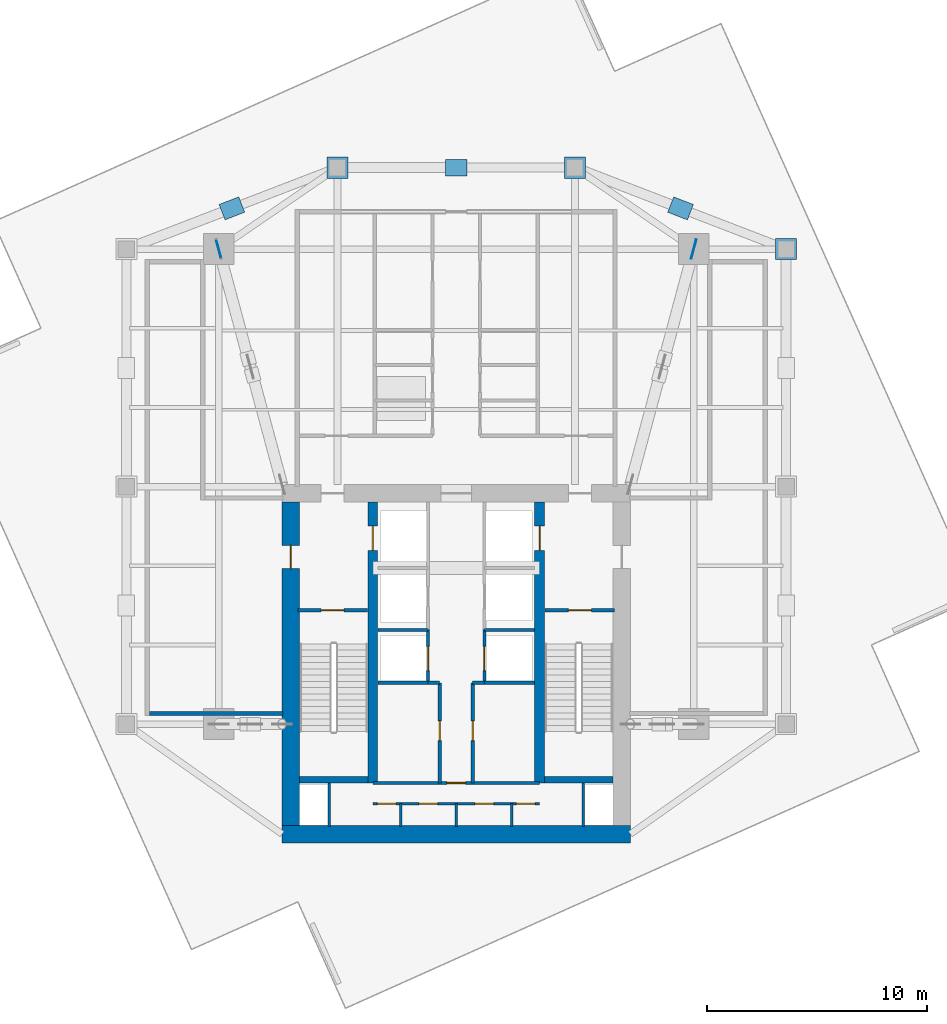
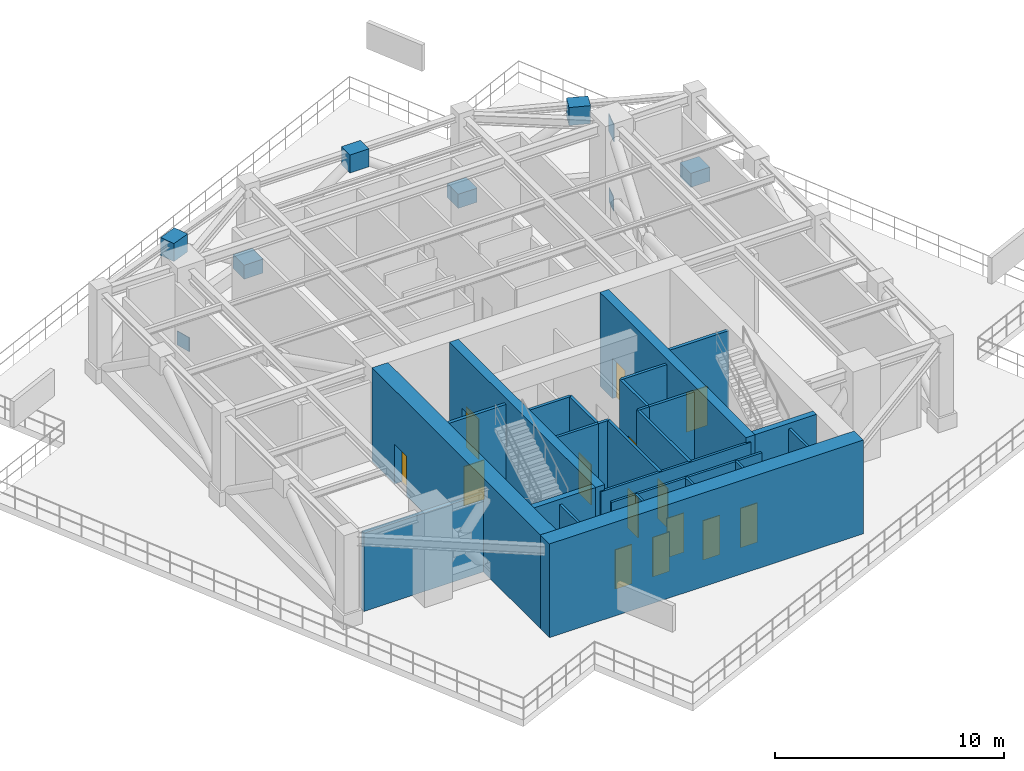
# One storey, part 3 of 8: 26 walls, 14 doors, 9 plates, 14 openings.
"""IFC4 building model written with IfcOpenShell, lengths in metres."""

from ifc_helpers import new_model, si_unit, direction, frame, frame_2d, origin, origin_2d, place, context, subcontext, project, spatial, rectangle, extrude, source, transform, mapped, material, layer, layer_set, type_object, type_shapes, element, fill, save


model = new_model("IFC4")

# Units and contexts
model_context = context("Model", 3, precision=1e-05, world=origin(), true_north=direction((0.0, 1.0)))
body_context = subcontext(model_context, "Body", "Model", "MODEL_VIEW")
ifc_project = project(units=[si_unit("LENGTHUNIT", "METRE"), si_unit("AREAUNIT", "SQUARE_METRE"), si_unit("VOLUMEUNIT", "CUBIC_METRE"), si_unit("PLANEANGLEUNIT", "RADIAN"), si_unit("MASSUNIT", "GRAM", prefix="KILO")], contexts=[model_context])

# Site, building, storey
site_placement = place(None, origin())
site = spatial("IfcSite", under=ifc_project, at=site_placement, CompositionType="ELEMENT")
building_placement = place(site_placement, origin())
building = spatial("IfcBuilding", under=site, at=building_placement, Name="Krantzveldt Concourse Tower", CompositionType="ELEMENT")
storey_placement = place(building_placement, frame((0.0, 0.0, 318.75)))
storey = spatial("IfcBuildingStorey", under=building, at=storey_placement, Name="L78", CompositionType="ELEMENT", Elevation=318.75)

# Plates
ifc_material_1 = material(Name="Steel S355J2", Category="steel")
ifc_layer_1 = layer(ifc_material_1, 0.0400390625, Name="Steel S355J2", Category="steel")
ifc_layer_set_1 = layer_set([ifc_layer_1], Name="Steel S355J2 (PL-GUSSET-40)")
plate_type_1 = type_object("IfcPlateType", Name="PL-GUSSET-40", PredefinedType="USERDEFINED", material=ifc_layer_set_1)
shared_shape_1 = source(origin(), body_context, "Body", "SweptSolid", [
    extrude(rectangle(XDim=0.89990234375, YDim=0.0400390625, at=origin_2d()), origin(), (0.0, 0.0, 1.0), 0.89990234375),
])
type_shapes(plate_type_1, [shared_shape_1])
plate_placement = place(storey_placement, frame((46.800048828125, 37.5, 3.820068359375), z_axis=(0.0, 0.0, 1.0), x_axis=(0.259914686406, 0.965631583882, 0.0)))
element("IfcPlate", 1, at=plate_placement, inside=storey, type_object=plate_type_1, Name="OT-NE-L78-GP3", ObjectType="GUSSET PLATE", PredefinedType="USERDEFINED", context=body_context, shape_type="MappedRepresentation", body=[
    mapped(shared_shape_1, transform((0.0, 0.0, 0.0), x_axis=(1.0, 0.0, 0.0), y_axis=(0.0, 1.0, 0.0), z_axis=(0.0, 0.0, 1.0), scale=1.0)),
])
ifc_layer_2 = layer(ifc_material_1, 0.034912109375, Name="Steel S355J2", Category="steel")
ifc_layer_set_2 = layer_set([ifc_layer_2], Name="Steel S355J2 (PL-ENDCAP-35)")
plate_type_2 = type_object("IfcPlateType", Name="PL-ENDCAP-35", PredefinedType="SHEET", material=ifc_layer_set_2)
shared_shape_2 = source(origin(), body_context, "Body", "SweptSolid", [
    extrude(rectangle(XDim=0.75, YDim=0.034912109375, at=origin_2d()), origin(), (0.0, 0.0, 1.0), 0.75),
])
type_shapes(plate_type_2, [shared_shape_2])
for number, where, z_axis, x_axis, name in (
    (2, (25.199951171875, 37.5, 0.074951171875), (0.0, 0.0, 1.0), (-0.259914686406, 0.965631583882, 0.0), "OT-NW-L78-EC"),
    (3, (46.800048828125, 37.5, 0.074951171875), (0.0, 0.0, 1.0), (0.259914686406, 0.965631583882, 0.0), "OT-NE-L78-EC"),
):
    element("IfcPlate", number, at=place(storey_placement, frame(where, z_axis=z_axis, x_axis=x_axis)), inside=storey, type_object=plate_type_2, Name=name, PredefinedType="SHEET", context=body_context, shape_type="MappedRepresentation", body=[
        mapped(shared_shape_2, transform((0.0, 0.0, 0.0), x_axis=(1.0, 0.0, 0.0), y_axis=(0.0, 1.0, 0.0), z_axis=(0.0, 0.0, 1.0), scale=1.0)),
    ])
ifc_layer_3 = layer(ifc_material_1, 0.0419921875, Name="Steel S355J2", Category="steel")
ifc_layer_set_3 = layer_set([ifc_layer_3], Name="Steel S355J2 (PL-GUSSET-EXT40)")
plate_type_3 = type_object("IfcPlateType", Name="PL-GUSSET-EXT40", PredefinedType="USERDEFINED", material=ifc_layer_set_3)
shared_shape_3 = source(origin(), body_context, "Body", "SweptSolid", [
    extrude(rectangle(XDim=0.9599609375, YDim=0.9599609375, at=origin_2d()), origin(), (0.0, 0.0, 1.0), 0.75),
])
for number, where, z_axis, x_axis, name in (
    (4, (30.60009765625, 41.199951171875, 0.074951171875), (0.0, 0.0, 1.0), (1.0, 0.0, 0.0), "BT-L78-GPB-04"),
    (5, (41.39990234375, 41.199951171875, 0.074951171875), (0.0, 0.0, 1.0), (1.0, 0.0, 0.0), "BT-L78-GPB-05"),
    (6, (51.0, 37.5, 0.074951171875), (0.0, 0.0, 1.0), (1.0, 0.0, 0.0), "BT-L78-GPB-06"),
):
    element("IfcPlate", number, at=place(storey_placement, frame(where, z_axis=z_axis, x_axis=x_axis)), inside=storey, type_object=plate_type_3, Name=name, ObjectType="GUSSET PLATE", PredefinedType="USERDEFINED", context=body_context, shape_type="MappedRepresentation", body=[
        mapped(shared_shape_3, transform((0.0, 0.0, 0.0), x_axis=(1.0, 0.0, 0.0), y_axis=(0.0, 1.0, 0.0), z_axis=(0.0, 0.0, 1.0), scale=1.0)),
    ])
shared_shape_4 = source(origin(), body_context, "Body", "SweptSolid", [
    extrude(rectangle(XDim=0.9599609375, YDim=0.75, at=origin_2d()), origin(), (0.0, 0.0, 1.0), 0.9599609375),
])
type_shapes(plate_type_3, [shared_shape_3, shared_shape_4])
for number, where, z_axis, x_axis, name in (
    (7, (25.800048828125, 39.35009765625, 3.7900390625), (0.0, 0.0, 1.0), (0.933097971633, 0.359622267573, 0.0), "BT-L78-GP-03"),
    (8, (36.0, 41.199951171875, 3.7900390625), (0.0, 0.0, 1.0), (1.0, 0.0, 0.0), "BT-L78-GP-04"),
    (9, (46.199951171875, 39.35009765625, 3.7900390625), (0.0, 0.0, 1.0), (-0.933097971633, 0.359622267573, 0.0), "BT-L78-GP-05"),
):
    element("IfcPlate", number, at=place(storey_placement, frame(where, z_axis=z_axis, x_axis=x_axis)), inside=storey, type_object=plate_type_3, Name=name, ObjectType="GUSSET PLATE", PredefinedType="USERDEFINED", context=body_context, shape_type="MappedRepresentation", body=[
        mapped(shared_shape_4, transform((0.0, 0.0, 0.0), x_axis=(1.0, 0.0, 0.0), y_axis=(0.0, 1.0, 0.0), z_axis=(0.0, 0.0, 1.0), scale=1.0)),
    ])

# Wall
ifc_material_2 = material(Name="Concrete C40/50", Category="concrete")
ifc_layer_4 = layer(ifc_material_2, 0.199951171875, Name="Concrete C40/50", Category="concrete")
ifc_layer_set_4 = layer_set([ifc_layer_4], Name="Concrete C40/50 (WL-EXT-POD200)")
wall_type_1 = type_object("IfcWallType", Name="WL-EXT-POD200", PredefinedType="SOLIDWALL", material=ifc_layer_set_4)
wall_1_placement = place(storey_placement, frame((22.050048828125, 16.3798828125, 0.0), z_axis=(0.0, 0.0, 1.0), x_axis=(1.0, 0.0, 0.0)))
element("IfcWall", 10, at=wall_1_placement, inside=storey, type_object=wall_type_1, Name="WP-L78-RWS", PredefinedType="SOLIDWALL", context=body_context, shape_type="SweptSolid", body=[
    extrude(rectangle(XDim=6.070068359375, YDim=0.199951171875, at=frame_2d((3.03515625, 0.0))), origin(), (0.0, 0.0, 1.0), 4.179931640625),
])

# Wall, opening, door
ifc_material_3 = material(Name="Fire-rated gypsum plasterboard on steel stud", Category="steel")
ifc_layer_5 = layer(ifc_material_3, 0.1201171875, Name="Fire-rated gypsum plasterboard on steel stud", Category="steel")
ifc_layer_set_5 = layer_set([ifc_layer_5], Name="Fire-rated gypsum plasterboard on steel stud (WL-PART-120)")
wall_type_2 = type_object("IfcWallType", Name="WL-PART-120", PredefinedType="PARTITIONING", material=ifc_layer_set_5)
wall_2_placement = place(storey_placement, frame((32.2099609375, 13.219970703125, 0.0), z_axis=(0.0, 0.0, 1.0), x_axis=(1.0, 0.0, 0.0)))
wall_2 = element("IfcWall", 11, at=wall_2_placement, inside=storey, type_object=wall_type_2, Name="WP-L78-CS2H", PredefinedType="PARTITIONING", context=body_context, shape_type="SweptSolid", body=[
    extrude(rectangle(XDim=7.580078125, YDim=0.1201171875, at=frame_2d((3.7900390625, 0.0))), origin(), (0.0, 0.0, 1.0), 4.719970703125),
])
opening_1_placement = place(wall_2_placement, frame((3.364990234375, 0.0, 0.0)))
opening_1 = element("IfcOpeningElement", 12, at=opening_1_placement, cuts=wall_2, Name="Opening D-IN085", PredefinedType="OPENING", context=body_context, shape_type="SweptSolid", body=[
    extrude(rectangle(XDim=0.85009765625, YDim=2.10009765625, at=frame_2d((0.425048828125, 1.050048828125))), frame((0.0, 0.070068359375, 0.0), z_axis=(0.0, -1.0, 0.0), x_axis=(1.0, 0.0, 0.0)), (0.0, 0.0, 1.0), 0.14013671875),
])
ifc_material_4 = material(Name="Hardwood timber", Category="wood")
door_type_1 = type_object("IfcDoorType", Name="DR-INT-850", OperationType="SINGLE_SWING_LEFT", PredefinedType="DOOR", material=ifc_material_4)
door_1_placement = place(opening_1_placement, origin())
door_1 = element("IfcDoor", 13, at=door_1_placement, inside=storey, type_object=door_type_1, Name="DR-L78-LLBS", OperationType="SINGLE_SWING_RIGHT", OverallHeight=2.10009765625, OverallWidth=0.85009765625, PredefinedType="DOOR", context=body_context, shape_type="SweptSolid", body=[
    extrude(rectangle(XDim=0.85009765625, YDim=2.10009765625, at=frame_2d((0.425048828125, 1.050048828125))), frame((0.0, 0.02490234375, 0.0), z_axis=(0.0, -1.0, 0.0), x_axis=(1.0, 0.0, 0.0)), (0.0, 0.0, 1.0), 0.050048828125),
])
fill(opening_1, door_1)

# Wall, openings, doors
wall_3_placement = place(storey_placement, frame((32.2099609375, 12.280029296875, 0.0), z_axis=(0.0, 0.0, 1.0), x_axis=(1.0, 0.0, 0.0)))
wall_3 = element("IfcWall", 14, at=wall_3_placement, inside=storey, type_object=wall_type_2, Name="WP-L78-CSD-HM", PredefinedType="PARTITIONING", context=body_context, shape_type="SweptSolid", body=[
    extrude(rectangle(XDim=7.580078125, YDim=0.1201171875, at=frame_2d((3.7900390625, 0.0))), origin(), (0.0, 0.0, 1.0), 4.719970703125),
])
opening_2_placement = place(wall_3_placement, frame((0.205078125, 0.0, 0.0)))
opening_2 = element("IfcOpeningElement", 15, at=opening_2_placement, cuts=wall_3, Name="Opening D-IN085", PredefinedType="OPENING", context=body_context, shape_type="SweptSolid", body=[
    extrude(rectangle(XDim=0.85009765625, YDim=2.10009765625, at=frame_2d((0.425048828125, 1.050048828125))), frame((0.0, 0.070068359375, 0.0), z_axis=(0.0, -1.0, 0.0), x_axis=(1.0, 0.0, 0.0)), (0.0, 0.0, 1.0), 0.14013671875),
])
opening_3_placement = place(wall_3_placement, frame((2.094970703125, 0.0, 0.0)))
opening_3 = element("IfcOpeningElement", 16, at=opening_3_placement, cuts=wall_3, Name="Opening D-IN085", PredefinedType="OPENING", context=body_context, shape_type="SweptSolid", body=[
    extrude(rectangle(XDim=0.85009765625, YDim=2.10009765625, at=frame_2d((0.425048828125, 1.050048828125))), frame((0.0, 0.070068359375, 0.0), z_axis=(0.0, -1.0, 0.0), x_axis=(1.0, 0.0, 0.0)), (0.0, 0.0, 1.0), 0.14013671875),
])
opening_4_placement = place(wall_3_placement, frame((4.635009765625, 0.0, 0.0)))
opening_4 = element("IfcOpeningElement", 17, at=opening_4_placement, cuts=wall_3, Name="Opening D-IN085", PredefinedType="OPENING", context=body_context, shape_type="SweptSolid", body=[
    extrude(rectangle(XDim=0.85009765625, YDim=2.10009765625, at=frame_2d((0.425048828125, 1.050048828125))), frame((0.0, 0.070068359375, 0.0), z_axis=(0.0, -1.0, 0.0), x_axis=(1.0, 0.0, 0.0)), (0.0, 0.0, 1.0), 0.14013671875),
])
opening_5_placement = place(wall_3_placement, frame((6.52490234375, 0.0, 0.0)))
opening_5 = element("IfcOpeningElement", 18, at=opening_5_placement, cuts=wall_3, Name="Opening D-IN085", PredefinedType="OPENING", context=body_context, shape_type="SweptSolid", body=[
    extrude(rectangle(XDim=0.85009765625, YDim=2.10009765625, at=frame_2d((0.425048828125, 1.050048828125))), frame((0.0, 0.070068359375, 0.0), z_axis=(0.0, -1.0, 0.0), x_axis=(1.0, 0.0, 0.0)), (0.0, 0.0, 1.0), 0.14013671875),
])
door_2_placement = place(opening_2_placement, origin())
door_2 = element("IfcDoor", 19, at=door_2_placement, inside=storey, type_object=door_type_1, Name="DR-L78-CSD1", OperationType="SINGLE_SWING_RIGHT", OverallHeight=2.10009765625, OverallWidth=0.85009765625, PredefinedType="DOOR", context=body_context, shape_type="SweptSolid", body=[
    extrude(rectangle(XDim=0.85009765625, YDim=2.10009765625, at=frame_2d((0.425048828125, 1.050048828125))), frame((0.0, 0.02490234375, 0.0), z_axis=(0.0, -1.0, 0.0), x_axis=(1.0, 0.0, 0.0)), (0.0, 0.0, 1.0), 0.050048828125),
])
fill(opening_2, door_2)
door_3_placement = place(opening_3_placement, origin())
door_3 = element("IfcDoor", 20, at=door_3_placement, inside=storey, type_object=door_type_1, Name="DR-L78-CSD2", OperationType="SINGLE_SWING_RIGHT", OverallHeight=2.10009765625, OverallWidth=0.85009765625, PredefinedType="DOOR", context=body_context, shape_type="SweptSolid", body=[
    extrude(rectangle(XDim=0.85009765625, YDim=2.10009765625, at=frame_2d((0.425048828125, 1.050048828125))), frame((0.0, 0.02490234375, 0.0), z_axis=(0.0, -1.0, 0.0), x_axis=(1.0, 0.0, 0.0)), (0.0, 0.0, 1.0), 0.050048828125),
])
fill(opening_3, door_3)
door_4_placement = place(opening_4_placement, origin())
door_4 = element("IfcDoor", 21, at=door_4_placement, inside=storey, type_object=door_type_1, Name="DR-L78-CSD3", OperationType="SINGLE_SWING_RIGHT", OverallHeight=2.10009765625, OverallWidth=0.85009765625, PredefinedType="DOOR", context=body_context, shape_type="SweptSolid", body=[
    extrude(rectangle(XDim=0.85009765625, YDim=2.10009765625, at=frame_2d((0.425048828125, 1.050048828125))), frame((0.0, 0.02490234375, 0.0), z_axis=(0.0, -1.0, 0.0), x_axis=(1.0, 0.0, 0.0)), (0.0, 0.0, 1.0), 0.050048828125),
])
fill(opening_4, door_4)
door_5_placement = place(opening_5_placement, origin())
door_5 = element("IfcDoor", 22, at=door_5_placement, inside=storey, type_object=door_type_1, Name="DR-L78-CSD4", OperationType="SINGLE_SWING_RIGHT", OverallHeight=2.10009765625, OverallWidth=0.85009765625, PredefinedType="DOOR", context=body_context, shape_type="SweptSolid", body=[
    extrude(rectangle(XDim=0.85009765625, YDim=2.10009765625, at=frame_2d((0.425048828125, 1.050048828125))), frame((0.0, 0.02490234375, 0.0), z_axis=(0.0, -1.0, 0.0), x_axis=(1.0, 0.0, 0.0)), (0.0, 0.0, 1.0), 0.050048828125),
])
fill(opening_5, door_5)

# Walls
for number, where, z_axis, x_axis, name in (
    (23, (33.469970703125, 11.25, 0.0), (0.0, 0.0, 1.0), (0.0, 1.0, 0.0), "WP-L78-CSD-V1"),
    (24, (36.0, 11.25, 0.0), (0.0, 0.0, 1.0), (0.0, 1.0, 0.0), "WP-L78-CSD-V2"),
    (25, (38.530029296875, 11.25, 0.0), (0.0, 0.0, 1.0), (0.0, 1.0, 0.0), "WP-L78-CSD-V3"),
):
    element("IfcWall", number, at=place(storey_placement, frame(where, z_axis=z_axis, x_axis=x_axis)), inside=storey, type_object=wall_type_2, Name=name, PredefinedType="PARTITIONING", context=body_context, shape_type="SweptSolid", body=[
        extrude(rectangle(XDim=1.030029296875, YDim=0.1201171875, at=frame_2d((0.51513671875, 0.0))), origin(), (0.0, 0.0, 1.0), 4.719970703125),
    ])

# Wall, opening, door
ifc_layer_6 = layer(ifc_material_3, 0.139892578125, Name="Fire-rated gypsum plasterboard on steel stud", Category="steel")
ifc_layer_set_6 = layer_set([ifc_layer_6], Name="Fire-rated gypsum plasterboard on steel stud (WL-PART-FR140)")
wall_type_3 = type_object("IfcWallType", Name="WL-PART-FR140", PredefinedType="PARTITIONING", material=ifc_layer_set_6)
wall_4_placement = place(storey_placement, frame((34.719970703125, 17.780029296875, 0.0), z_axis=(0.0, 0.0, 1.0), x_axis=(0.0, 1.0, 0.0)))
wall_4 = element("IfcWall", 26, at=wall_4_placement, inside=storey, type_object=wall_type_3, Name="WP-L78-SHNW2", PredefinedType="PARTITIONING", context=body_context, shape_type="SweptSolid", body=[
    extrude(rectangle(XDim=2.419921875, YDim=0.139892578125, at=frame_2d((1.2099609375, 0.0))), origin(), (0.0, 0.0, 1.0), 4.719970703125),
])
opening_6_placement = place(wall_4_placement, frame((0.550048828125, 0.0, 0.0)))
opening_6 = element("IfcOpeningElement", 27, at=opening_6_placement, cuts=wall_4, Name="Opening LD", PredefinedType="OPENING", context=body_context, shape_type="SweptSolid", body=[
    extrude(rectangle(XDim=1.10009765625, YDim=2.14990234375, at=frame_2d((0.550048828125, 1.074951171875))), frame((0.0, 0.080078125, 0.0), z_axis=(0.0, -1.0, 0.0), x_axis=(1.0, 0.0, 0.0)), (0.0, 0.0, 1.0), 0.159912109375),
])
ifc_material_5 = material(Name="Stainless steel 316L", Category="steel")
door_type_2 = type_object("IfcDoorType", Name="DR-SLIDE-LD1100", OperationType="DOUBLE_DOOR_SLIDING", PredefinedType="DOOR", material=ifc_material_5)
door_6_placement = place(opening_6_placement, origin())
door_6 = element("IfcDoor", 28, at=door_6_placement, inside=storey, type_object=door_type_2, Name="LD-L78-PH1", OperationType="DOUBLE_DOOR_SLIDING", OverallHeight=2.14990234375, OverallWidth=1.10009765625, PredefinedType="DOOR", context=body_context, shape_type="SweptSolid", body=[
    extrude(rectangle(XDim=1.10009765625, YDim=2.14990234375, at=frame_2d((0.550048828125, 1.074951171875))), frame((0.0, 0.02490234375, 0.0), z_axis=(0.0, -1.0, 0.0), x_axis=(1.0, 0.0, 0.0)), (0.0, 0.0, 1.0), 0.050048828125),
])
fill(opening_6, door_6)

wall_5_placement = place(storey_placement, frame((37.280029296875, 17.780029296875, 0.0), z_axis=(0.0, 0.0, 1.0), x_axis=(0.0, 1.0, 0.0)))
wall_5 = element("IfcWall", 29, at=wall_5_placement, inside=storey, type_object=wall_type_3, Name="WP-L78-SHNE2", PredefinedType="PARTITIONING", context=body_context, shape_type="SweptSolid", body=[
    extrude(rectangle(XDim=2.419921875, YDim=0.139892578125, at=frame_2d((1.2099609375, 0.0))), origin(), (0.0, 0.0, 1.0), 4.719970703125),
])
opening_7_placement = place(wall_5_placement, frame((0.550048828125, 0.0, 0.0)))
opening_7 = element("IfcOpeningElement", 30, at=opening_7_placement, cuts=wall_5, Name="Opening LD", PredefinedType="OPENING", context=body_context, shape_type="SweptSolid", body=[
    extrude(rectangle(XDim=1.10009765625, YDim=2.14990234375, at=frame_2d((0.550048828125, 1.074951171875))), frame((0.0, 0.080078125, 0.0), z_axis=(0.0, -1.0, 0.0), x_axis=(1.0, 0.0, 0.0)), (0.0, 0.0, 1.0), 0.159912109375),
])
door_7_placement = place(opening_7_placement, origin())
door_7 = element("IfcDoor", 31, at=door_7_placement, inside=storey, type_object=door_type_2, Name="LD-L78-PH2", OperationType="DOUBLE_DOOR_SLIDING", OverallHeight=2.14990234375, OverallWidth=1.10009765625, PredefinedType="DOOR", context=body_context, shape_type="SweptSolid", body=[
    extrude(rectangle(XDim=1.10009765625, YDim=2.14990234375, at=frame_2d((0.550048828125, 1.074951171875))), frame((0.0, 0.02490234375, 0.0), z_axis=(0.0, -1.0, 0.0), x_axis=(1.0, 0.0, 0.0)), (0.0, 0.0, 1.0), 0.050048828125),
])
fill(opening_7, door_7)

# Walls
for number, where, z_axis, x_axis, name in (
    (32, (32.449951171875, 17.780029296875, 0.0), (0.0, 0.0, 1.0), (1.0, 0.0, 0.0), "WP-L78-DIVW2"),
    (33, (32.449951171875, 20.179931640625, 0.0), (0.0, 0.0, 1.0), (1.0, 0.0, 0.0), "WP-L78-DIVW3"),
    (34, (37.280029296875, 17.780029296875, 0.0), (0.0, 0.0, 1.0), (1.0, 0.0, 0.0), "WP-L78-DIVE2"),
    (35, (37.280029296875, 20.179931640625, 0.0), (0.0, 0.0, 1.0), (1.0, 0.0, 0.0), "WP-L78-DIVE3"),
):
    element("IfcWall", number, at=place(storey_placement, frame(where, z_axis=z_axis, x_axis=x_axis)), inside=storey, type_object=wall_type_3, Name=name, PredefinedType="PARTITIONING", context=body_context, shape_type="SweptSolid", body=[
        extrude(rectangle(XDim=2.27001953125, YDim=0.139892578125, at=frame_2d((1.135009765625, 0.0))), origin(), (0.0, 0.0, 1.0), 4.719970703125),
    ])

# Wall, opening, door
wall_6_placement = place(storey_placement, frame((35.25, 13.219970703125, 0.0), z_axis=(0.0, 0.0, 1.0), x_axis=(0.0, 1.0, 0.0)))
wall_6 = element("IfcWall", 36, at=wall_6_placement, inside=storey, type_object=wall_type_3, Name="WP-L78-RECW", PredefinedType="PARTITIONING", context=body_context, shape_type="SweptSolid", body=[
    extrude(rectangle(XDim=4.56005859375, YDim=0.139892578125, at=frame_2d((2.280029296875, 0.0))), origin(), (0.0, 0.0, 1.0), 4.719970703125),
])
opening_8_placement = place(wall_6_placement, frame((1.929931640625, 0.0, 0.0)))
opening_8 = element("IfcOpeningElement", 37, at=opening_8_placement, cuts=wall_6, Name="Opening D-FD090", PredefinedType="OPENING", context=body_context, shape_type="SweptSolid", body=[
    extrude(rectangle(XDim=0.89990234375, YDim=2.10009765625, at=frame_2d((0.449951171875, 1.050048828125))), frame((0.0, 0.080078125, 0.0), z_axis=(0.0, -1.0, 0.0), x_axis=(1.0, 0.0, 0.0)), (0.0, 0.0, 1.0), 0.159912109375),
])
door_type_3 = type_object("IfcDoorType", Name="DR-FD60-900", OperationType="SINGLE_SWING_LEFT", PredefinedType="DOOR", material=ifc_material_4)
door_8_placement = place(opening_8_placement, origin())
door_8 = element("IfcDoor", 38, at=door_8_placement, inside=storey, type_object=door_type_3, Name="DR-L78-RECW", OperationType="SINGLE_SWING_LEFT", OverallHeight=2.10009765625, OverallWidth=0.89990234375, PredefinedType="DOOR", context=body_context, shape_type="SweptSolid", body=[
    extrude(rectangle(XDim=0.89990234375, YDim=2.10009765625, at=frame_2d((0.449951171875, 1.050048828125))), frame((0.0, 0.02490234375, 0.0), z_axis=(0.0, -1.0, 0.0), x_axis=(1.0, 0.0, 0.0)), (0.0, 0.0, 1.0), 0.050048828125),
])
fill(opening_8, door_8)

# Wall
wall_7_placement = place(storey_placement, frame((34.719970703125, 17.780029296875, 0.0), z_axis=(0.0, 0.0, 1.0), x_axis=(1.0, 0.0, 0.0)))
element("IfcWall", 39, at=wall_7_placement, inside=storey, type_object=wall_type_3, Name="WP-L78-RECWN", PredefinedType="PARTITIONING", context=body_context, shape_type="SweptSolid", body=[
    extrude(rectangle(XDim=0.530029296875, YDim=0.139892578125, at=frame_2d((0.26513671875, 0.0))), origin(), (0.0, 0.0, 1.0), 4.719970703125),
])

# Wall, opening, door
wall_8_placement = place(storey_placement, frame((36.75, 13.219970703125, 0.0), z_axis=(0.0, 0.0, 1.0), x_axis=(0.0, 1.0, 0.0)))
wall_8 = element("IfcWall", 40, at=wall_8_placement, inside=storey, type_object=wall_type_3, Name="WP-L78-RECE", PredefinedType="PARTITIONING", context=body_context, shape_type="SweptSolid", body=[
    extrude(rectangle(XDim=4.56005859375, YDim=0.139892578125, at=frame_2d((2.280029296875, 0.0))), origin(), (0.0, 0.0, 1.0), 4.719970703125),
])
opening_9_placement = place(wall_8_placement, frame((1.929931640625, 0.0, 0.0)))
opening_9 = element("IfcOpeningElement", 41, at=opening_9_placement, cuts=wall_8, Name="Opening D-FD090", PredefinedType="OPENING", context=body_context, shape_type="SweptSolid", body=[
    extrude(rectangle(XDim=0.89990234375, YDim=2.10009765625, at=frame_2d((0.449951171875, 1.050048828125))), frame((0.0, 0.080078125, 0.0), z_axis=(0.0, -1.0, 0.0), x_axis=(1.0, 0.0, 0.0)), (0.0, 0.0, 1.0), 0.159912109375),
])
door_9_placement = place(opening_9_placement, origin())
door_9 = element("IfcDoor", 42, at=door_9_placement, inside=storey, type_object=door_type_3, Name="DR-L78-RECE", OperationType="SINGLE_SWING_RIGHT", OverallHeight=2.10009765625, OverallWidth=0.89990234375, PredefinedType="DOOR", context=body_context, shape_type="SweptSolid", body=[
    extrude(rectangle(XDim=0.89990234375, YDim=2.10009765625, at=frame_2d((0.449951171875, 1.050048828125))), frame((0.0, 0.02490234375, 0.0), z_axis=(0.0, -1.0, 0.0), x_axis=(1.0, 0.0, 0.0)), (0.0, 0.0, 1.0), 0.050048828125),
])
fill(opening_9, door_9)

# Walls
wall_9_placement = place(storey_placement, frame((36.75, 17.780029296875, 0.0), z_axis=(0.0, 0.0, 1.0), x_axis=(1.0, 0.0, 0.0)))
element("IfcWall", 43, at=wall_9_placement, inside=storey, type_object=wall_type_3, Name="WP-L78-RECEN", PredefinedType="PARTITIONING", context=body_context, shape_type="SweptSolid", body=[
    extrude(rectangle(XDim=0.530029296875, YDim=0.139892578125, at=frame_2d((0.26513671875, 0.0))), origin(), (0.0, 0.0, 1.0), 4.719970703125),
])
for number, where, z_axis, x_axis, name in (
    (44, (30.219970703125, 11.25, 0.0), (0.0, 0.0, 1.0), (0.0, 1.0, 0.0), "WP-L78-RSW"),
    (45, (41.780029296875, 11.25, 0.0), (0.0, 0.0, 1.0), (0.0, 1.0, 0.0), "WP-L78-RSE"),
):
    element("IfcWall", number, at=place(storey_placement, frame(where, z_axis=z_axis, x_axis=x_axis)), inside=storey, type_object=wall_type_3, Name=name, PredefinedType="PARTITIONING", context=body_context, shape_type="SweptSolid", body=[
        extrude(rectangle(XDim=1.969970703125, YDim=0.1201171875, at=frame_2d((0.98486328125, 0.0))), origin(), (0.0, 0.0, 1.0), 4.719970703125),
    ])

# Wall, opening, door
ifc_layer_7 = layer(ifc_material_3, 0.159912109375, Name="Fire-rated gypsum plasterboard on steel stud", Category="steel")
ifc_layer_set_7 = layer_set([ifc_layer_7], Name="Fire-rated gypsum plasterboard on steel stud (WL-PART-FR160)")
wall_type_4 = type_object("IfcWallType", Name="WL-PART-FR160", PredefinedType="PARTITIONING", material=ifc_layer_set_7)
wall_10_placement = place(storey_placement, frame((28.800048828125, 21.080078125, 0.0), z_axis=(0.0, 0.0, 1.0), x_axis=(1.0, 0.0, 0.0)))
wall_10 = element("IfcWall", 46, at=wall_10_placement, inside=storey, type_object=wall_type_4, Name="WP-L78-ST1", PredefinedType="PARTITIONING", context=body_context, shape_type="SweptSolid", body=[
    extrude(rectangle(XDim=3.159912109375, YDim=0.159912109375, at=frame_2d((1.580078125, 0.0))), origin(), (0.0, 0.0, 1.0), 4.719970703125),
])
opening_10_placement = place(wall_10_placement, frame((1.054931640625, 0.0, 0.0)))
opening_10 = element("IfcOpeningElement", 47, at=opening_10_placement, cuts=wall_10, Name="Opening D-FD105", PredefinedType="OPENING", context=body_context, shape_type="SweptSolid", body=[
    extrude(rectangle(XDim=1.050048828125, YDim=2.10009765625, at=frame_2d((0.52490234375, 1.050048828125))), frame((0.0, 0.08984375, 0.0), z_axis=(0.0, -1.0, 0.0), x_axis=(1.0, 0.0, 0.0)), (0.0, 0.0, 1.0), 0.179931640625),
])
ifc_material_6 = material(Name="Galvanised steel", Category="steel")
door_type_4 = type_object("IfcDoorType", Name="DR-FD120-1050", OperationType="SINGLE_SWING_LEFT", PredefinedType="DOOR", material=ifc_material_6)
door_10_placement = place(opening_10_placement, origin())
door_10 = element("IfcDoor", 48, at=door_10_placement, inside=storey, type_object=door_type_4, Name="DR-L78-ST1", OperationType="SINGLE_SWING_RIGHT", OverallHeight=2.10009765625, OverallWidth=1.050048828125, PredefinedType="DOOR", context=body_context, shape_type="SweptSolid", body=[
    extrude(rectangle(XDim=1.050048828125, YDim=2.10009765625, at=frame_2d((0.52490234375, 1.050048828125))), frame((0.0, 0.02490234375, 0.0), z_axis=(0.0, -1.0, 0.0), x_axis=(1.0, 0.0, 0.0)), (0.0, 0.0, 1.0), 0.050048828125),
])
fill(opening_10, door_10)

wall_11_placement = place(storey_placement, frame((40.0400390625, 21.080078125, 0.0), z_axis=(0.0, 0.0, 1.0), x_axis=(1.0, 0.0, 0.0)))
wall_11 = element("IfcWall", 49, at=wall_11_placement, inside=storey, type_object=wall_type_4, Name="WP-L78-ST2", PredefinedType="PARTITIONING", context=body_context, shape_type="SweptSolid", body=[
    extrude(rectangle(XDim=3.159912109375, YDim=0.159912109375, at=frame_2d((1.580078125, 0.0))), origin(), (0.0, 0.0, 1.0), 4.719970703125),
])
opening_11_placement = place(wall_11_placement, frame((1.054931640625, 0.0, 0.0)))
opening_11 = element("IfcOpeningElement", 50, at=opening_11_placement, cuts=wall_11, Name="Opening D-FD105", PredefinedType="OPENING", context=body_context, shape_type="SweptSolid", body=[
    extrude(rectangle(XDim=1.050048828125, YDim=2.10009765625, at=frame_2d((0.52490234375, 1.050048828125))), frame((0.0, 0.08984375, 0.0), z_axis=(0.0, -1.0, 0.0), x_axis=(1.0, 0.0, 0.0)), (0.0, 0.0, 1.0), 0.179931640625),
])
door_11_placement = place(opening_11_placement, origin())
door_11 = element("IfcDoor", 51, at=door_11_placement, inside=storey, type_object=door_type_4, Name="DR-L78-ST2", OperationType="SINGLE_SWING_LEFT", OverallHeight=2.10009765625, OverallWidth=1.050048828125, PredefinedType="DOOR", context=body_context, shape_type="SweptSolid", body=[
    extrude(rectangle(XDim=1.050048828125, YDim=2.10009765625, at=frame_2d((0.52490234375, 1.050048828125))), frame((0.0, 0.02490234375, 0.0), z_axis=(0.0, -1.0, 0.0), x_axis=(1.0, 0.0, 0.0)), (0.0, 0.0, 1.0), 0.050048828125),
])
fill(opening_11, door_11)

# Walls
ifc_material_7 = material(Name="Concrete C50/60", Category="concrete")
ifc_layer_8 = layer(ifc_material_7, 0.300048828125, Name="Concrete C50/60", Category="concrete")
ifc_layer_set_8 = layer_set([ifc_layer_8], Name="Concrete C50/60 (WL-SHEAR-300)")
wall_type_5 = type_object("IfcWallType", Name="WL-SHEAR-300", PredefinedType="SHEAR", material=ifc_layer_set_8)
for number, where, z_axis, x_axis, name in (
    (52, (28.8798828125, 13.3701171875, 0.0), (0.0, 0.0, 1.0), (1.0, 0.0, 0.0), "CW-L78-ST1S"),
    (53, (40.02001953125, 13.3701171875, 0.0), (0.0, 0.0, 1.0), (1.0, 0.0, 0.0), "CW-L78-ST2S"),
):
    element("IfcWall", number, at=place(storey_placement, frame(where, z_axis=z_axis, x_axis=x_axis)), inside=storey, type_object=wall_type_5, Name=name, PredefinedType="SHEAR", context=body_context, shape_type="SweptSolid", body=[
        extrude(rectangle(XDim=3.10009765625, YDim=0.300048828125, at=frame_2d((1.550048828125, 0.0))), origin(), (0.0, 0.0, 1.0), 5.0),
    ])

# Wall, opening, door
ifc_layer_9 = layer(ifc_material_7, 0.449951171875, Name="Concrete C50/60", Category="concrete")
ifc_layer_set_9 = layer_set([ifc_layer_9], Name="Concrete C50/60 (WL-SHEAR-450)")
wall_type_6 = type_object("IfcWallType", Name="WL-SHEAR-450", PredefinedType="SHEAR", material=ifc_layer_set_9)
wall_12_placement = place(storey_placement, frame((32.205078125, 13.219970703125, 0.0), z_axis=(0.0, 0.0, 1.0), x_axis=(0.0, 1.0, 0.0)))
wall_12 = element("IfcWall", 54, at=wall_12_placement, inside=storey, type_object=wall_type_6, Name="CW-L78-IW", PredefinedType="SHEAR", context=body_context, shape_type="SweptSolid", body=[
    extrude(rectangle(XDim=12.780029296875, YDim=0.449951171875, at=frame_2d((6.39013671875, 0.0))), origin(), (0.0, 0.0, 1.0), 5.0),
])
opening_12_placement = place(wall_12_placement, frame((10.580078125, 0.0, 0.0)))
opening_12 = element("IfcOpeningElement", 55, at=opening_12_placement, cuts=wall_12, Name="Opening LD", PredefinedType="OPENING", context=body_context, shape_type="SweptSolid", body=[
    extrude(rectangle(XDim=1.10009765625, YDim=2.14990234375, at=frame_2d((0.550048828125, 1.074951171875))), frame((0.0, 0.23486328125, 0.0), z_axis=(0.0, -1.0, 0.0), x_axis=(1.0, 0.0, 0.0)), (0.0, 0.0, 1.0), 0.469970703125),
])
door_12_placement = place(opening_12_placement, origin())
door_12 = element("IfcDoor", 56, at=door_12_placement, inside=storey, type_object=door_type_2, Name="LD-L78-FL1", OperationType="DOUBLE_DOOR_SLIDING", OverallHeight=2.14990234375, OverallWidth=1.10009765625, PredefinedType="DOOR", context=body_context, shape_type="SweptSolid", body=[
    extrude(rectangle(XDim=1.10009765625, YDim=2.14990234375, at=frame_2d((0.550048828125, 1.074951171875))), frame((0.0, 0.02490234375, 0.0), z_axis=(0.0, -1.0, 0.0), x_axis=(1.0, 0.0, 0.0)), (0.0, 0.0, 1.0), 0.050048828125),
])
fill(opening_12, door_12)

wall_13_placement = place(storey_placement, frame((39.794921875, 13.219970703125, 0.0), z_axis=(0.0, 0.0, 1.0), x_axis=(0.0, 1.0, 0.0)))
wall_13 = element("IfcWall", 57, at=wall_13_placement, inside=storey, type_object=wall_type_6, Name="CW-L78-IE", PredefinedType="SHEAR", context=body_context, shape_type="SweptSolid", body=[
    extrude(rectangle(XDim=12.780029296875, YDim=0.449951171875, at=frame_2d((6.39013671875, 0.0))), origin(), (0.0, 0.0, 1.0), 5.0),
])
opening_13_placement = place(wall_13_placement, frame((10.580078125, 0.0, 0.0)))
opening_13 = element("IfcOpeningElement", 58, at=opening_13_placement, cuts=wall_13, Name="Opening LD", PredefinedType="OPENING", context=body_context, shape_type="SweptSolid", body=[
    extrude(rectangle(XDim=1.10009765625, YDim=2.14990234375, at=frame_2d((0.550048828125, 1.074951171875))), frame((0.0, 0.23486328125, 0.0), z_axis=(0.0, -1.0, 0.0), x_axis=(1.0, 0.0, 0.0)), (0.0, 0.0, 1.0), 0.469970703125),
])
door_13_placement = place(opening_13_placement, origin())
door_13 = element("IfcDoor", 59, at=door_13_placement, inside=storey, type_object=door_type_2, Name="LD-L78-FL2", OperationType="DOUBLE_DOOR_SLIDING", OverallHeight=2.14990234375, OverallWidth=1.10009765625, PredefinedType="DOOR", context=body_context, shape_type="SweptSolid", body=[
    extrude(rectangle(XDim=1.10009765625, YDim=2.14990234375, at=frame_2d((0.550048828125, 1.074951171875))), frame((0.0, 0.02490234375, 0.0), z_axis=(0.0, -1.0, 0.0), x_axis=(1.0, 0.0, 0.0)), (0.0, 0.0, 1.0), 0.050048828125),
])
fill(opening_13, door_13)

# Wall
ifc_material_8 = material(Name="Concrete C60/75", Category="concrete")
ifc_layer_10 = layer(ifc_material_8, 0.800048828125, Name="Concrete C60/75", Category="concrete")
ifc_layer_set_10 = layer_set([ifc_layer_10], Name="Concrete C60/75 (WL-SHEAR-800)")
wall_type_7 = type_object("IfcWallType", Name="WL-SHEAR-800", PredefinedType="SHEAR", material=ifc_layer_set_10)
wall_14_placement = place(storey_placement, frame((28.080078125, 10.89990234375, 0.0), z_axis=(0.0, 0.0, 1.0), x_axis=(1.0, 0.0, 0.0)))
element("IfcWall", 60, at=wall_14_placement, inside=storey, type_object=wall_type_7, Name="CW-L78-S", PredefinedType="SHEAR", context=body_context, shape_type="SweptSolid", body=[
    extrude(rectangle(XDim=15.83984375, YDim=0.800048828125, at=frame_2d((7.919921875, 0.0))), origin(), (0.0, 0.0, 1.0), 5.0),
])

# Wall, opening, door
wall_15_placement = place(storey_placement, frame((28.47998046875, 11.300048828125, 0.0), z_axis=(0.0, 0.0, 1.0), x_axis=(0.0, 1.0, 0.0)))
wall_15 = element("IfcWall", 61, at=wall_15_placement, inside=storey, type_object=wall_type_7, Name="CW-L78-W", PredefinedType="SHEAR", context=body_context, shape_type="SweptSolid", body=[
    extrude(rectangle(XDim=14.699951171875, YDim=0.800048828125, at=frame_2d((7.35009765625, 0.0))), origin(), (0.0, 0.0, 1.0), 5.0),
])
opening_14_placement = place(wall_15_placement, frame((11.675048828125, 0.0, 0.0)))
opening_14 = element("IfcOpeningElement", 62, at=opening_14_placement, cuts=wall_15, Name="Opening D-FD105", PredefinedType="OPENING", context=body_context, shape_type="SweptSolid", body=[
    extrude(rectangle(XDim=1.050048828125, YDim=2.10009765625, at=frame_2d((0.52490234375, 1.050048828125))), frame((0.0, 0.41015625, 0.0), z_axis=(0.0, -1.0, 0.0), x_axis=(1.0, 0.0, 0.0)), (0.0, 0.0, 1.0), 0.820068359375),
])
door_14_placement = place(opening_14_placement, origin())
door_14 = element("IfcDoor", 63, at=door_14_placement, inside=storey, type_object=door_type_4, Name="DR-L78-ST1RW", OperationType="SINGLE_SWING_LEFT", OverallHeight=2.10009765625, OverallWidth=1.050048828125, PredefinedType="DOOR", context=body_context, shape_type="SweptSolid", body=[
    extrude(rectangle(XDim=1.050048828125, YDim=2.10009765625, at=frame_2d((0.52490234375, 1.050048828125))), frame((0.0, 0.02490234375, 0.0), z_axis=(0.0, -1.0, 0.0), x_axis=(1.0, 0.0, 0.0)), (0.0, 0.0, 1.0), 0.050048828125),
])
fill(opening_14, door_14)

save(model, "model.ifc")
